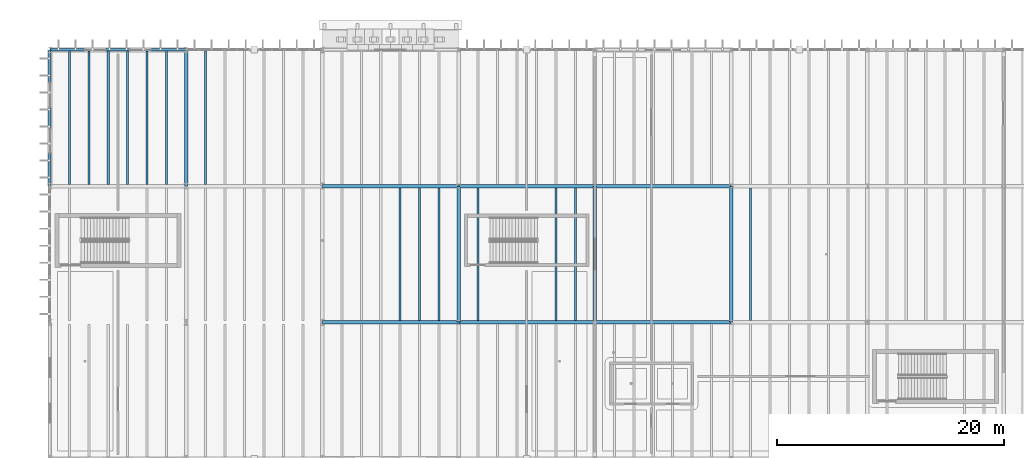
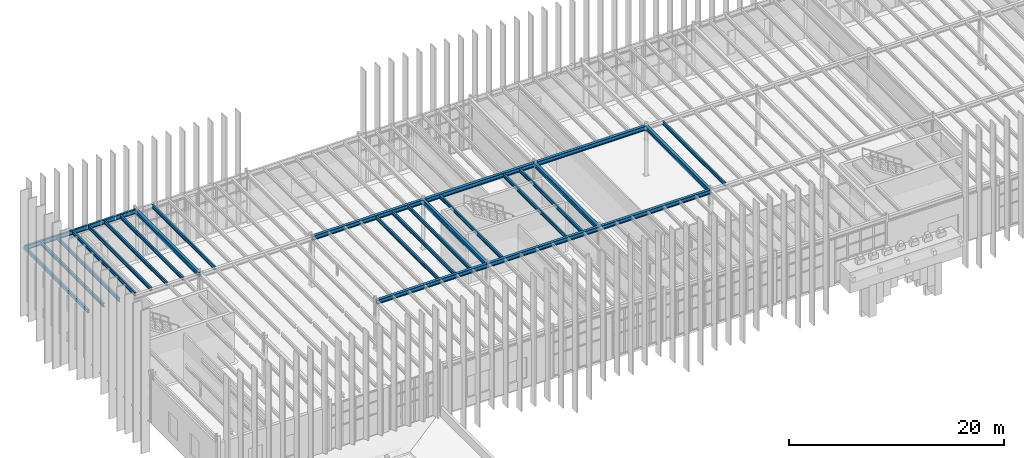
# One storey, part 19 of 83: 26 beams.
"""IFC4 building model written with IfcOpenShell, lengths in metres."""

import ifcopenshell
import ifcopenshell.guid

model = None  # the IFC model being written
_history = None  # IfcOwnerHistory: only IFC2X3 demands one
_inside = {}  # id of a spatial element -> (the spatial element, [elements in it])
_under = {}  # id of a project, library or spatial element -> (it, [spatial elements below it])
_declared = {}  # id of a project -> (the project, [libraries it declares])
_typed = {}  # id of a type object -> (the type object, [elements of that type])
_made_of = {}  # id of a material, layer set ... -> (it, [elements and type objects made of it])


def new_model(schema):
    """Start an empty IFC model of exactly this schema.

    Asked for "IFC4X3", IfcOpenShell would pick the latest addendum, in which some entities
    have other attributes; the version numbers below select the first issue.
    IFC2X3 requires an IfcOwnerHistory on every rooted entity: one is made here for all.
    """
    global model, _history
    if schema == "IFC4X3":
        model = ifcopenshell.file(schema_version=(4, 3, 0, 0))
    else:
        model = ifcopenshell.file(schema=schema)
    _inside.clear()
    _under.clear()
    _declared.clear()
    _typed.clear()
    _made_of.clear()
    _history = None
    if model.schema == "IFC2X3":
        org = make("IfcOrganization", Name="unknown")
        user = make(
            "IfcPersonAndOrganization",
            ThePerson=make("IfcPerson", FamilyName="unknown"),
            TheOrganization=org,
        )
        app = make(
            "IfcApplication",
            ApplicationDeveloper=org,
            Version="unknown",
            ApplicationFullName="unknown",
            ApplicationIdentifier="unknown",
        )
        _history = make(
            "IfcOwnerHistory",
            OwningUser=user,
            OwningApplication=app,
            ChangeAction="ADDED",
            CreationDate=0,
        )
    return model


def make(cls, **values):
    """One entity of the class cls with the attributes given. An attribute that is None is left unset."""
    return model.create_entity(
        cls, **{name: value for name, value in values.items() if value is not None}
    )


def rooted(cls, **values):
    """An entity with a GlobalId (a new one), such as an element, a storey or a relation."""
    return make(cls, GlobalId=ifcopenshell.guid.new(), OwnerHistory=_history, **values)


def si_unit(unit_type, name, prefix=None):
    """IfcSIUnit, for example si_unit("LENGTHUNIT", "METRE", prefix="MILLI")."""
    return make("IfcSIUnit", UnitType=unit_type, Prefix=prefix, Name=name)


def assignment(units):
    """IfcUnitAssignment: the units of a project."""
    return None if units is None else make("IfcUnitAssignment", Units=units)


def point(xyz):
    """IfcCartesianPoint."""
    return None if xyz is None else make("IfcCartesianPoint", Coordinates=xyz)


def direction(xyz):
    """IfcDirection."""
    return None if xyz is None else make("IfcDirection", DirectionRatios=xyz)


def frame(location, z_axis=None, x_axis=None):
    """IfcAxis2Placement3D, a coordinate frame: its origin and axes. An axis left out is left unset."""
    return make(
        "IfcAxis2Placement3D",
        Location=point(location),
        Axis=direction(z_axis),
        RefDirection=direction(x_axis),
    )


def frame_2d(location, x_axis=None):
    """IfcAxis2Placement2D, a coordinate frame in the plane: its origin and x axis."""
    return make(
        "IfcAxis2Placement2D", Location=point(location), RefDirection=direction(x_axis)
    )


def origin():
    """The frame at (0, 0, 0) with its axes left unset."""
    return frame((0.0, 0.0, 0.0))


def origin_2d():
    """The frame at (0, 0) in the plane with its x axis left unset."""
    return frame_2d((0.0, 0.0))


def place(relative_to, where):
    """IfcLocalPlacement: puts the frame where relative to a parent placement (None: the world)."""
    return make(
        "IfcLocalPlacement", PlacementRelTo=relative_to, RelativePlacement=where
    )


def context(
    kind, dimensions, precision=None, world=None, true_north=None, identifier=None
):
    """IfcGeometricRepresentationContext, for example the 3D "Model" context."""
    return make(
        "IfcGeometricRepresentationContext",
        ContextIdentifier=identifier,
        ContextType=kind,
        CoordinateSpaceDimension=dimensions,
        Precision=precision,
        WorldCoordinateSystem=world,
        TrueNorth=true_north,
    )


def subcontext(parent, identifier, kind, view, scale=None):
    """IfcGeometricRepresentationSubContext, for example "Body" below "Model"."""
    return make(
        "IfcGeometricRepresentationSubContext",
        ContextIdentifier=identifier,
        ContextType=kind,
        ParentContext=parent,
        TargetScale=scale,
        TargetView=view,
    )


def project(units=None, contexts=None):
    """IfcProject with its units and contexts."""
    return rooted(
        "IfcProject",
        Name="project",
        RepresentationContexts=contexts,
        UnitsInContext=assignment(units),
    )


def spatial(cls, under=None, at=None, **own):
    """A site, building, storey or space (cls), placed at a placement, below another one or the project."""
    s = rooted(cls, ObjectPlacement=at, **own)
    if under is not None:
        _under.setdefault(under.id(), (under, []))[1].append(s)
    return s


def profile(cls, at=None, kind="AREA", **sizes):
    """A parametric profile (cls). Its sizes go by their IFC names, for example OverallWidth=200.0."""
    return make(cls, ProfileType=kind, Position=at, **sizes)


def hollow_rectangle(**sizes):
    """IfcRectangleHollowProfileDef."""
    return profile("IfcRectangleHollowProfileDef", **sizes)


def i_section(**sizes):
    """IfcIShapeProfileDef."""
    return profile("IfcIShapeProfileDef", **sizes)


def extrude(swept, where, along, depth):
    """IfcExtrudedAreaSolid: the profile swept, set in the frame where, extruded along a direction by depth."""
    return make(
        "IfcExtrudedAreaSolid",
        SweptArea=swept,
        Position=where,
        ExtrudedDirection=direction(along),
        Depth=depth,
    )


def shape(context_of_items, identifier, shape_type, items):
    """IfcShapeRepresentation: the items that make up one representation, for example the "Body"."""
    return make(
        "IfcShapeRepresentation",
        ContextOfItems=context_of_items,
        RepresentationIdentifier=identifier,
        RepresentationType=shape_type,
        Items=items,
    )


def material(Name=None, Category=None):
    """IfcMaterial."""
    return make("IfcMaterial", Name=Name, Category=Category)


def material_profile(
    of_material, cross_section, Name=None, Category=None, Priority=None
):
    """IfcMaterialProfile: a cross section and its material."""
    return make(
        "IfcMaterialProfile",
        Name=Name,
        Material=of_material,
        Profile=cross_section,
        Priority=Priority,
        Category=Category,
    )


def profile_set(profiles, Name=None, composite=None):
    """IfcMaterialProfileSet."""
    return make(
        "IfcMaterialProfileSet",
        Name=Name,
        MaterialProfiles=profiles,
        CompositeProfile=composite,
    )


def made_of(thing, what):
    """Note that an element or type object is made of a material, layer set ...; save() writes the relation."""
    if what is not None:
        _made_of.setdefault(what.id(), (what, []))[1].append(thing)
    return thing


def type_object(cls, material=None, **own):
    """A type object (cls), such as IfcWallType, which elements share."""
    return made_of(rooted(cls, **own), material)


def element(
    cls,
    number,
    at=None,
    inside=None,
    cuts=None,
    type_object=None,
    material=None,
    context=None,
    identifier="Body",
    shape_type=None,
    held_by="IfcProductDefinitionShape",
    body=None,
    shapes=None,
    **own,
):
    """One element of the class cls, such as IfcWall. Its Tag is "e" and its number.

    at: its placement. inside: the storey or other place that contains it. cuts: it is an
    opening in that element (IfcRelVoidsElement). A single representation is given by context,
    identifier, shape_type and body (its items); several are given by shapes. held_by: the class
    of the entity that holds the representations. save() writes the other relations.
    """
    e = rooted(cls, Tag="e%d" % number, ObjectPlacement=at, **own)
    if body is not None:
        shapes = [shape(context, identifier, shape_type, body)]
    if shapes is not None:
        e.Representation = make(held_by, Representations=shapes)
    if inside is not None:
        _inside.setdefault(inside.id(), (inside, []))[1].append(e)
    if cuts is not None:
        rooted(
            "IfcRelVoidsElement", RelatingBuildingElement=cuts, RelatedOpeningElement=e
        )
    if type_object is not None:
        _typed.setdefault(type_object.id(), (type_object, []))[1].append(e)
    return made_of(e, material)


def aggregate(whole, parts):
    """IfcRelAggregates: a whole, such as a stair, and the parts it consists of."""
    return rooted("IfcRelAggregates", RelatingObject=whole, RelatedObjects=parts)


def save(model, path):
    """Write the relations noted so far, then the file.

    IfcRelAggregates (storeys below a building ...), IfcRelContainedInSpatialStructure (elements
    in a storey), IfcRelDefinesByType, IfcRelAssociatesMaterial and IfcRelDeclares: one each for
    every whole, place, type object, material and project.
    """
    for whole, parts in _under.values():
        aggregate(whole, parts)
    for where, things in _inside.values():
        rooted(
            "IfcRelContainedInSpatialStructure",
            RelatedElements=things,
            RelatingStructure=where,
        )
    for kind, things in _typed.values():
        rooted("IfcRelDefinesByType", RelatedObjects=things, RelatingType=kind)
    for what, things in _made_of.values():
        rooted("IfcRelAssociatesMaterial", RelatedObjects=things, RelatingMaterial=what)
    for by, libraries in _declared.values():
        rooted("IfcRelDeclares", RelatingContext=by, RelatedDefinitions=libraries)
    model.write(path)


model = new_model("IFC4")

# Units and contexts
model_context = context("Model", 3, precision=1e-05, world=origin(), true_north=direction((0.0, 1.0)))
body_context = subcontext(model_context, "Body", "Model", "MODEL_VIEW")
ifc_project = project(units=[si_unit("LENGTHUNIT", "METRE"), si_unit("AREAUNIT", "SQUARE_METRE"), si_unit("VOLUMEUNIT", "CUBIC_METRE"), si_unit("PLANEANGLEUNIT", "RADIAN"), si_unit("MASSUNIT", "GRAM", prefix="KILO")], contexts=[model_context])

# Site, building, storey
site_placement = place(None, origin())
site = spatial("IfcSite", under=ifc_project, at=site_placement, CompositionType="ELEMENT")
building_placement = place(site_placement, origin())
building = spatial("IfcBuilding", under=site, at=building_placement, Name="Zlatogorsky Bluff Art Gallery", CompositionType="ELEMENT")
storey_placement = place(building_placement, frame((0.0, 0.0, 10.800048828125)))
storey = spatial("IfcBuildingStorey", under=building, at=storey_placement, Name="L02", CompositionType="ELEMENT", Elevation=10.800048828125)

# Beams
ifc_material = material(Name="Steel S355", Category="steel")
ifc_material_profile_1 = material_profile(ifc_material, i_section(OverallWidth=0.300048828125, OverallDepth=0.489990234375, WebThickness=0.011962890625, FlangeThickness=0.02294921875, FilletRadius=0.027099609375, at=origin_2d()), Name="HEA 500")
ifc_profile_set_1 = profile_set([ifc_material_profile_1], Name="Steel S355")
beam_type_1 = type_object("IfcBeamType", Name="Beam BM-07 HEA 500", PredefinedType="BEAM", material=ifc_profile_set_1)
for number, where, z_axis, x_axis, name in (
    (1, (24.014892578125, 96.0, 5.445068359375), (1.0, 0.0, 0.0), (0.0, 1.0, 0.0), "Primary girder BM-07 L02 C-D/10"),
    (2, (24.014892578125, 108.0, 5.445068359375), (1.0, 0.0, 0.0), (0.0, 1.0, 0.0), "Primary girder BM-07 L02 C-D/11"),
    (3, (36.014892578125, 96.0, 5.445068359375), (1.0, 0.0, 0.0), (0.0, 1.0, 0.0), "Primary girder BM-07 L02 D-E/10"),
    (4, (36.014892578125, 108.0, 5.445068359375), (1.0, 0.0, 0.0), (0.0, 1.0, 0.0), "Primary girder BM-07 L02 D-E/11"),
    (5, (48.014892578125, 96.0, 5.445068359375), (1.0, 0.0, 0.0), (0.0, 1.0, 0.0), "Primary girder BM-07 L02 E-F/10"),
    (6, (48.014892578125, 108.0, 5.445068359375), (1.0, 0.0, 0.0), (0.0, 1.0, 0.0), "Primary girder BM-07 L02 E-F/11"),
    (7, (12.0, 108.014892578125, 5.445068359375), (0.0, 1.0, 0.0), (-1.0, 0.0, 0.0), "Primary girder BM-07 L02 B/11-12"),
    (8, (36.0, 96.014892578125, 5.445068359375), (0.0, 1.0, 0.0), (-1.0, 0.0, 0.0), "Primary girder BM-07 L02 D/10-11"),
    (9, (48.0, 96.014892578125, 5.445068359375), (0.0, 1.0, 0.0), (-1.0, 0.0, 0.0), "Primary girder BM-07 L02 E/10-11"),
    (10, (60.0, 96.014892578125, 5.445068359375), (0.0, 1.0, 0.0), (-1.0, 0.0, 0.0), "Primary girder BM-07 L02 F/10-11"),
):
    element("IfcBeam", number, at=place(storey_placement, frame(where, z_axis=z_axis, x_axis=x_axis)), inside=storey, type_object=beam_type_1, Name=name, PredefinedType="BEAM", context=body_context, shape_type="SweptSolid", body=[
        extrude(i_section(OverallWidth=0.300048828125, OverallDepth=0.489990234375, WebThickness=0.011962890625, FlangeThickness=0.02294921875, FilletRadius=0.027099609375, at=origin_2d()), origin(), (0.0, 0.0, 1.0), 11.97021484375),
    ])
ifc_material_profile_2 = material_profile(ifc_material, i_section(OverallWidth=0.179931640625, OverallDepth=0.39990234375, WebThickness=0.008544921875, FlangeThickness=0.013427734375, FilletRadius=0.02099609375, at=origin_2d()), Name="IPE 400")
ifc_profile_set_2 = profile_set([ifc_material_profile_2], Name="Steel S355")
beam_type_2 = type_object("IfcBeamType", Name="Beam JS-05 IPE 400", PredefinedType="JOIST", material=ifc_profile_set_2)
for number, where, z_axis, x_axis, name in (
    (11, (1.71435546875, 108.14990234375, 5.489990234375), (0.0, 1.0, 0.0), (-1.0, 0.0, 0.0), "Composite floor joist JS-05 L02 00.10.1"),
    (12, (3.428466796875, 108.14990234375, 5.489990234375), (0.0, 1.0, 0.0), (-1.0, 0.0, 0.0), "Composite floor joist JS-05 L02 00.10.2"),
    (13, (5.142822265625, 108.14990234375, 5.489990234375), (0.0, 1.0, 0.0), (-1.0, 0.0, 0.0), "Composite floor joist JS-05 L02 00.10.3"),
    (14, (6.857177734375, 108.14990234375, 5.489990234375), (0.0, 1.0, 0.0), (-1.0, 0.0, 0.0), "Composite floor joist JS-05 L02 00.10.4"),
    (15, (8.571533203125, 108.14990234375, 5.489990234375), (0.0, 1.0, 0.0), (-1.0, 0.0, 0.0), "Composite floor joist JS-05 L02 00.10.5"),
    (16, (10.28564453125, 108.14990234375, 5.489990234375), (0.0, 1.0, 0.0), (-1.0, 0.0, 0.0), "Composite floor joist JS-05 L02 00.10.6"),
    (17, (13.71435546875, 108.14990234375, 5.489990234375), (0.0, 1.0, 0.0), (-1.0, 0.0, 0.0), "Composite floor joist JS-05 L02 01.10.1"),
):
    element("IfcBeam", number, at=place(storey_placement, frame(where, z_axis=z_axis, x_axis=x_axis)), inside=storey, type_object=beam_type_2, Name=name, PredefinedType="JOIST", context=body_context, shape_type="SweptSolid", body=[
        extrude(i_section(OverallWidth=0.179931640625, OverallDepth=0.39990234375, WebThickness=0.008544921875, FlangeThickness=0.013427734375, FilletRadius=0.02099609375, at=origin_2d()), origin(), (0.0, 0.0, 1.0), 11.75),
    ])
for number, where, z_axis, x_axis, name in (
    (18, (30.857177734375, 96.14990234375, 5.489990234375), (0.0, 1.0, 0.0), (-1.0, 0.0, 0.0), "Composite floor joist JS-05 L02 02.09.4"),
    (19, (32.571533203125, 96.14990234375, 5.489990234375), (0.0, 1.0, 0.0), (-1.0, 0.0, 0.0), "Composite floor joist JS-05 L02 02.09.5"),
    (20, (34.28564453125, 96.14990234375, 5.489990234375), (0.0, 1.0, 0.0), (-1.0, 0.0, 0.0), "Composite floor joist JS-05 L02 02.09.6"),
    (21, (37.71435546875, 96.14990234375, 5.489990234375), (0.0, 1.0, 0.0), (-1.0, 0.0, 0.0), "Composite floor joist JS-05 L02 03.09.1"),
    (22, (44.571533203125, 96.14990234375, 5.489990234375), (0.0, 1.0, 0.0), (-1.0, 0.0, 0.0), "Composite floor joist JS-05 L02 03.09.5"),
    (23, (46.28564453125, 96.14990234375, 5.489990234375), (0.0, 1.0, 0.0), (-1.0, 0.0, 0.0), "Composite floor joist JS-05 L02 03.09.6"),
    (24, (61.71435546875, 96.14990234375, 5.489990234375), (0.0, 1.0, 0.0), (-1.0, 0.0, 0.0), "Composite floor joist JS-05 L02 05.09.1"),
):
    element("IfcBeam", number, at=place(storey_placement, frame(where, z_axis=z_axis, x_axis=x_axis)), inside=storey, type_object=beam_type_2, Name=name, PredefinedType="JOIST", context=body_context, shape_type="SweptSolid", body=[
        extrude(i_section(OverallWidth=0.179931640625, OverallDepth=0.39990234375, WebThickness=0.008544921875, FlangeThickness=0.013427734375, FilletRadius=0.02099609375, at=origin_2d()), origin(), (0.0, 0.0, 1.0), 11.7001953125),
    ])
ifc_material_profile_3 = material_profile(ifc_material, i_section(OverallWidth=0.199951171875, OverallDepth=0.5, WebThickness=0.01025390625, FlangeThickness=0.01611328125, FilletRadius=0.02099609375, at=origin_2d()), Name="IPE 500")
ifc_profile_set_3 = profile_set([ifc_material_profile_3], Name="Steel S355")
beam_type_3 = type_object("IfcBeamType", Name="Beam SP-01 IPE 500", PredefinedType="SPANDREL", material=ifc_profile_set_3)
beam_1_placement = place(storey_placement, frame((0.014892578125, 120.0, 5.43994140625), z_axis=(1.0, 0.0, 0.0), x_axis=(0.0, 1.0, 0.0)))
element("IfcBeam", 25, at=beam_1_placement, inside=storey, type_object=beam_type_3, Name="Primary girder SP-01 L02 A-B/12", PredefinedType="SPANDREL", context=body_context, shape_type="SweptSolid", body=[
    extrude(i_section(OverallWidth=0.199951171875, OverallDepth=0.5, WebThickness=0.01025390625, FlangeThickness=0.01611328125, FilletRadius=0.02099609375, at=origin_2d()), origin(), (0.0, 0.0, 1.0), 11.97021484375),
])
ifc_material_profile_4 = material_profile(ifc_material, hollow_rectangle(XDim=0.199951171875, YDim=0.39990234375, WallThickness=0.01611328125, at=origin_2d()), Name="RHS 400x200x16")
ifc_profile_set_4 = profile_set([ifc_material_profile_4], Name="Steel S355")
beam_type_4 = type_object("IfcBeamType", Name="Beam SP-02 RHS 400x200x16", PredefinedType="SPANDREL", material=ifc_profile_set_4)
beam_2_placement = place(storey_placement, frame((0.0, 108.014892578125, 5.489990234375), z_axis=(0.0, 1.0, 0.0), x_axis=(-1.0, 0.0, 0.0)))
element("IfcBeam", 26, at=beam_2_placement, inside=storey, type_object=beam_type_4, Name="Primary girder SP-02 L02 A/11-12", PredefinedType="SPANDREL", context=body_context, shape_type="SweptSolid", body=[
    extrude(hollow_rectangle(XDim=0.199951171875, YDim=0.39990234375, WallThickness=0.01611328125, at=origin_2d()), origin(), (0.0, 0.0, 1.0), 11.97021484375),
])

save(model, "model.ifc")
